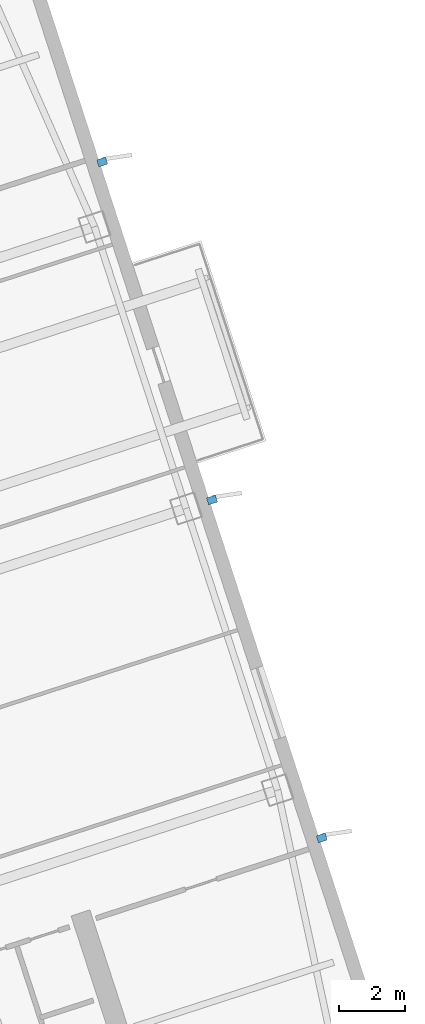
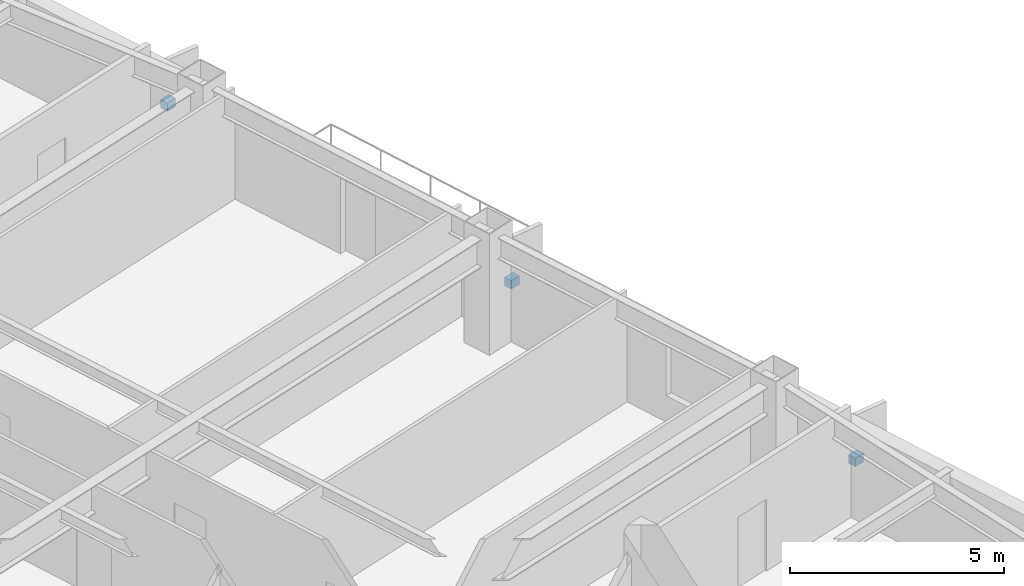
# One storey, part 12 of 17: 3 discrete accessories.
"""IFC4 building model written with IfcOpenShell, lengths in metres."""

from ifc_helpers import new_model, si_unit, direction, frame, origin, origin_2d, place, context, subcontext, project, spatial, rectangle, extrude, material, type_object, element, save


model = new_model("IFC4")

# Units and contexts
model_context = context("Model", 3, precision=1e-05, world=origin(), true_north=direction((0.0, 1.0)))
body_context = subcontext(model_context, "Body", "Model", "MODEL_VIEW")
ifc_project = project(units=[si_unit("LENGTHUNIT", "METRE"), si_unit("AREAUNIT", "SQUARE_METRE"), si_unit("VOLUMEUNIT", "CUBIC_METRE"), si_unit("PLANEANGLEUNIT", "RADIAN"), si_unit("MASSUNIT", "GRAM", prefix="KILO")], contexts=[model_context])

# Site, building, storey
site_placement = place(None, origin())
site = spatial("IfcSite", under=ifc_project, at=site_placement, CompositionType="ELEMENT")
building_placement = place(site_placement, origin())
building = spatial("IfcBuilding", under=site, at=building_placement, Name="Qiaolan Cultural Towers", CompositionType="ELEMENT")
storey_placement = place(building_placement, frame((0.0, 0.0, 142.60009765625)))
storey = spatial("IfcBuildingStorey", under=building, at=storey_placement, Name="L37", CompositionType="ELEMENT", Elevation=142.60009765625)

# Discrete accessories
ifc_material = material(Name="Stainless Steel S31608 Facade Anchor Bracket", Category="steel")
discrete_accessory_type = type_object("IfcDiscreteAccessoryType", Name="ACC-BRK-SS", PredefinedType="BRACKET", material=ifc_material)
for number, where, z_axis, x_axis, name in (
    (1, (108.440185546875, 28.6357421875, 1.18505859375), (0.0, 0.0, 1.0), (0.951056516295, 0.309016994375, 0.0), "L37 T2 Facade Fin Anchor Bracket E1"),
    (2, (105.102783203125, 38.9072265625, 1.18505859375), (0.0, 0.0, 1.0), (0.951056516295, 0.309016994375, 0.0), "L37 T2 Facade Fin Anchor Bracket E2"),
    (3, (101.765380859375, 49.1787109375, 1.18505859375), (0.0, 0.0, 1.0), (0.951056516295, 0.309016994375, 0.0), "L37 T2 Facade Fin Anchor Bracket E3"),
):
    element("IfcDiscreteAccessory", number, at=place(storey_placement, frame(where, z_axis=z_axis, x_axis=x_axis)), inside=storey, type_object=discrete_accessory_type, Name=name, PredefinedType="BRACKET", context=body_context, shape_type="SweptSolid", body=[
        extrude(rectangle(XDim=0.280029296875, YDim=0.219970703125, at=origin_2d()), origin(), (0.0, 0.0, 1.0), 0.239990234375),
    ])

save(model, "model.ifc")
